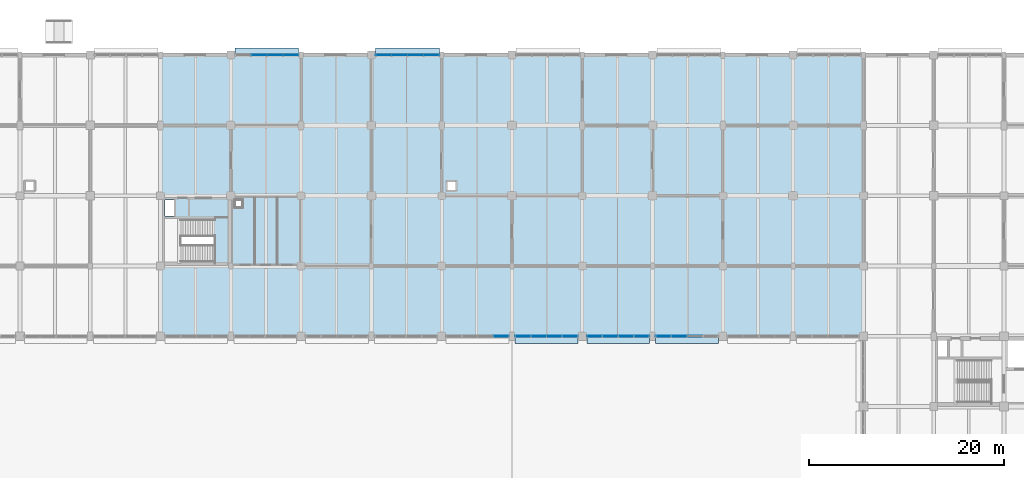
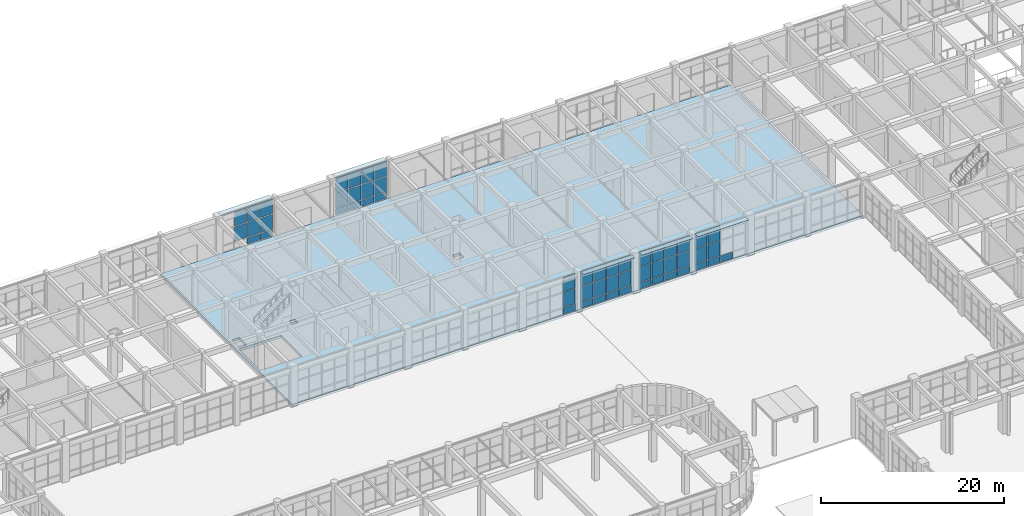
# One storey, part 128 of 160: 59 plates, 1 slab, 6 elements without a shape of their own.
"""IFC4 building model written with IfcOpenShell, lengths in metres."""

from ifc_helpers import new_model, si_unit, direction, frame, origin, origin_2d, place, context, subcontext, project, spatial, polyline, rectangle, outline, extrude, material, layer, layer_set, type_object, element, aggregate, save


model = new_model("IFC4")

# Units and contexts
model_context = context("Model", 3, precision=1e-05, world=origin(), true_north=direction((0.0, 1.0)))
body_context = subcontext(model_context, "Body", "Model", "MODEL_VIEW")
ifc_project = project(units=[si_unit("LENGTHUNIT", "METRE"), si_unit("AREAUNIT", "SQUARE_METRE"), si_unit("VOLUMEUNIT", "CUBIC_METRE"), si_unit("PLANEANGLEUNIT", "RADIAN"), si_unit("MASSUNIT", "GRAM", prefix="KILO")], contexts=[model_context])

# Site, building, storey
site_placement = place(None, origin())
site = spatial("IfcSite", under=ifc_project, at=site_placement, CompositionType="ELEMENT")
building_placement = place(site_placement, origin())
building = spatial("IfcBuilding", under=site, at=building_placement, Name="Thalmaran Polytechnic", CompositionType="ELEMENT")
storey_placement = place(building_placement, origin())
storey = spatial("IfcBuildingStorey", under=building, at=storey_placement, Name="L00", CompositionType="ELEMENT", Elevation=0.0)

# Plates
ifc_material_1 = material(Name="Anodised aluminium sun-hood eyebrow", Category="aluminium")
ifc_layer_1 = layer(ifc_material_1, 0.0849609375, Name="Anodised aluminium sun-hood eyebrow")
ifc_layer_set_1 = layer_set([ifc_layer_1], Name="Anodised aluminium sun-hood eyebrow")
plate_type_1 = type_object("IfcPlateType", Name="PT-EB01", PredefinedType="SHEET", material=ifc_layer_set_1)
for number, where, z_axis, x_axis, name in (
    (1, (68.492431640625, 122.760009765625, 4.987548828125), (0.0, 0.0, 1.0), (1.0, 0.0, 0.0), "Streamline Sun-Hood Eyebrow L00-CW006"),
    (2, (82.892578125, 122.760009765625, 4.987548828125), (0.0, 0.0, 1.0), (1.0, 0.0, 0.0), "Streamline Sun-Hood Eyebrow L00-CW007"),
):
    element("IfcPlate", number, at=place(storey_placement, frame(where, z_axis=z_axis, x_axis=x_axis)), inside=storey, type_object=plate_type_1, Name=name, PredefinedType="SHEET", context=body_context, shape_type="SweptSolid", body=[
        extrude(rectangle(XDim=6.52490234375, YDim=0.760009765625, at=origin_2d()), origin(), (0.0, 0.0, 1.0), 0.0849609375),
    ])
for number, where, z_axis, x_axis, name in (
    (3, (111.530029296875, 93.239990234375, 4.987548828125), (0.0, 0.0, 1.0), (-1.0, 0.0, 0.0), "Streamline Sun-Hood Eyebrow L00-CW074"),
    (4, (104.469970703125, 93.239990234375, 4.987548828125), (0.0, 0.0, 1.0), (-1.0, 0.0, 0.0), "Streamline Sun-Hood Eyebrow L00-CW075"),
    (5, (97.1298828125, 93.239990234375, 4.987548828125), (0.0, 0.0, 1.0), (-1.0, 0.0, 0.0), "Streamline Sun-Hood Eyebrow L00-CW076"),
):
    element("IfcPlate", number, at=place(storey_placement, frame(where, z_axis=z_axis, x_axis=x_axis)), inside=storey, type_object=plate_type_1, Name=name, PredefinedType="SHEET", context=body_context, shape_type="SweptSolid", body=[
        extrude(rectangle(XDim=6.419921875, YDim=0.760009765625, at=origin_2d()), origin(), (0.0, 0.0, 1.0), 0.0849609375),
    ])

# Curtain wall, plates
ifc_material_2 = material(Name="Aluminium 6063-T6", Category="aluminium")
curtain_wall_type = type_object("IfcCurtainWallType", Name="CW-UC01", PredefinedType="USERDEFINED", material=ifc_material_2)
curtain_wall_1_placement = place(storey_placement, origin())
curtain_wall_1 = element("IfcCurtainWall", 6, at=curtain_wall_1_placement, inside=storey, type_object=curtain_wall_type, Name="Curtain Wall CW-L00-075", ObjectType="UNITISED CURTAIN WALL", PredefinedType="USERDEFINED")
ifc_material_3 = material(Name="Solar-control double low-E glass", Category="glass")
ifc_layer_2 = layer(ifc_material_3, 0.035888671875, Name="Solar-control double low-E glass")
ifc_layer_set_2 = layer_set([ifc_layer_2], Name="Solar-control double low-E glass")
plate_type_2 = type_object("IfcPlateType", Name="PT-GL01", PredefinedType="CURTAIN_PANEL", material=ifc_layer_set_2)
plate_1_placement = place(storey_placement, frame((106.892578125, 93.60009765625, 1.0), z_axis=(0.0, 0.0, 1.0), x_axis=(-1.0, 0.0, 0.0)))
plate_1 = element("IfcPlate", 7, at=plate_1_placement, type_object=plate_type_2, Name="CW-L00-075 Vision Panel 1-2", PredefinedType="CURTAIN_PANEL", context=body_context, shape_type="SweptSolid", body=[
    extrude(rectangle(XDim=1.514892578125, YDim=0.035888671875, at=origin_2d()), origin(), (0.0, 0.0, 1.0), 1.985107421875),
])
plate_2_placement = place(storey_placement, frame((106.892578125, 93.60009765625, 3.06494140625), z_axis=(0.0, 0.0, 1.0), x_axis=(-1.0, 0.0, 0.0)))
plate_2 = element("IfcPlate", 8, at=plate_2_placement, type_object=plate_type_2, Name="CW-L00-075 Vision Panel 1-3", PredefinedType="CURTAIN_PANEL", context=body_context, shape_type="SweptSolid", body=[
    extrude(rectangle(XDim=1.514892578125, YDim=0.035888671875, at=origin_2d()), origin(), (0.0, 0.0, 1.0), 1.925048828125),
])
plate_3_placement = place(storey_placement, frame((105.277587890625, 93.60009765625, 1.0), z_axis=(0.0, 0.0, 1.0), x_axis=(-1.0, 0.0, 0.0)))
plate_3 = element("IfcPlate", 9, at=plate_3_placement, type_object=plate_type_2, Name="CW-L00-075 Vision Panel 2-2", PredefinedType="CURTAIN_PANEL", context=body_context, shape_type="SweptSolid", body=[
    extrude(rectangle(XDim=1.514892578125, YDim=0.035888671875, at=origin_2d()), origin(), (0.0, 0.0, 1.0), 1.985107421875),
])
plate_4_placement = place(storey_placement, frame((105.277587890625, 93.60009765625, 3.06494140625), z_axis=(0.0, 0.0, 1.0), x_axis=(-1.0, 0.0, 0.0)))
plate_4 = element("IfcPlate", 10, at=plate_4_placement, type_object=plate_type_2, Name="CW-L00-075 Vision Panel 2-3", PredefinedType="CURTAIN_PANEL", context=body_context, shape_type="SweptSolid", body=[
    extrude(rectangle(XDim=1.514892578125, YDim=0.035888671875, at=origin_2d()), origin(), (0.0, 0.0, 1.0), 1.925048828125),
])
plate_5_placement = place(storey_placement, frame((103.66259765625, 93.60009765625, 1.0), z_axis=(0.0, 0.0, 1.0), x_axis=(-1.0, 0.0, 0.0)))
plate_5 = element("IfcPlate", 11, at=plate_5_placement, type_object=plate_type_2, Name="CW-L00-075 Vision Panel 3-2", PredefinedType="CURTAIN_PANEL", context=body_context, shape_type="SweptSolid", body=[
    extrude(rectangle(XDim=1.514892578125, YDim=0.035888671875, at=origin_2d()), origin(), (0.0, 0.0, 1.0), 1.985107421875),
])
plate_6_placement = place(storey_placement, frame((103.66259765625, 93.60009765625, 3.06494140625), z_axis=(0.0, 0.0, 1.0), x_axis=(-1.0, 0.0, 0.0)))
plate_6 = element("IfcPlate", 12, at=plate_6_placement, type_object=plate_type_2, Name="CW-L00-075 Vision Panel 3-3", PredefinedType="CURTAIN_PANEL", context=body_context, shape_type="SweptSolid", body=[
    extrude(rectangle(XDim=1.514892578125, YDim=0.035888671875, at=origin_2d()), origin(), (0.0, 0.0, 1.0), 1.925048828125),
])
plate_7_placement = place(storey_placement, frame((102.047607421875, 93.60009765625, 1.0), z_axis=(0.0, 0.0, 1.0), x_axis=(-1.0, 0.0, 0.0)))
plate_7 = element("IfcPlate", 13, at=plate_7_placement, type_object=plate_type_2, Name="CW-L00-075 Vision Panel 4-2", PredefinedType="CURTAIN_PANEL", context=body_context, shape_type="SweptSolid", body=[
    extrude(rectangle(XDim=1.514892578125, YDim=0.035888671875, at=origin_2d()), origin(), (0.0, 0.0, 1.0), 1.985107421875),
])
plate_8_placement = place(storey_placement, frame((102.047607421875, 93.60009765625, 3.06494140625), z_axis=(0.0, 0.0, 1.0), x_axis=(-1.0, 0.0, 0.0)))
plate_8 = element("IfcPlate", 14, at=plate_8_placement, type_object=plate_type_2, Name="CW-L00-075 Vision Panel 4-3", PredefinedType="CURTAIN_PANEL", context=body_context, shape_type="SweptSolid", body=[
    extrude(rectangle(XDim=1.514892578125, YDim=0.035888671875, at=origin_2d()), origin(), (0.0, 0.0, 1.0), 1.925048828125),
])

curtain_wall_2_placement = place(storey_placement, origin())
curtain_wall_2 = element("IfcCurtainWall", 15, at=curtain_wall_2_placement, inside=storey, type_object=curtain_wall_type, Name="Curtain Wall CW-L00-006", ObjectType="UNITISED CURTAIN WALL", PredefinedType="USERDEFINED")
ifc_layer_3 = layer(ifc_material_3, 0.035888671875, Name="Solar-control double low-E glass")
ifc_layer_set_3 = layer_set([ifc_layer_3], Name="Solar-control double low-E glass")
plate_type_3 = type_object("IfcPlateType", Name="PT-GL02", PredefinedType="CURTAIN_PANEL", material=ifc_layer_set_3)
plate_9_placement = place(storey_placement, frame((67.671875, 122.39990234375, 1.0), z_axis=(0.0, 0.0, 1.0), x_axis=(1.0, 0.0, 0.0)))
plate_9 = element("IfcPlate", 16, at=plate_9_placement, type_object=plate_type_3, Name="CW-L00-006 Vision Panel 2-2", PredefinedType="CURTAIN_PANEL", context=body_context, shape_type="SweptSolid", body=[
    extrude(rectangle(XDim=1.541259765625, YDim=0.035888671875, at=origin_2d()), origin(), (0.0, 0.0, 1.0), 1.985107421875),
])
plate_10_placement = place(storey_placement, frame((67.671875, 122.39990234375, 3.06494140625), z_axis=(0.0, 0.0, 1.0), x_axis=(1.0, 0.0, 0.0)))
plate_10 = element("IfcPlate", 17, at=plate_10_placement, type_object=plate_type_3, Name="CW-L00-006 Vision Panel 2-3", PredefinedType="CURTAIN_PANEL", context=body_context, shape_type="SweptSolid", body=[
    extrude(rectangle(XDim=1.541259765625, YDim=0.035888671875, at=origin_2d()), origin(), (0.0, 0.0, 1.0), 1.925048828125),
])
plate_11_placement = place(storey_placement, frame((69.313232421875, 122.39990234375, 1.0), z_axis=(0.0, 0.0, 1.0), x_axis=(1.0, 0.0, 0.0)))
plate_11 = element("IfcPlate", 18, at=plate_11_placement, type_object=plate_type_3, Name="CW-L00-006 Vision Panel 3-2", PredefinedType="CURTAIN_PANEL", context=body_context, shape_type="SweptSolid", body=[
    extrude(rectangle(XDim=1.541259765625, YDim=0.035888671875, at=origin_2d()), origin(), (0.0, 0.0, 1.0), 1.985107421875),
])
plate_12_placement = place(storey_placement, frame((69.313232421875, 122.39990234375, 3.06494140625), z_axis=(0.0, 0.0, 1.0), x_axis=(1.0, 0.0, 0.0)))
plate_12 = element("IfcPlate", 19, at=plate_12_placement, type_object=plate_type_3, Name="CW-L00-006 Vision Panel 3-3", PredefinedType="CURTAIN_PANEL", context=body_context, shape_type="SweptSolid", body=[
    extrude(rectangle(XDim=1.541259765625, YDim=0.035888671875, at=origin_2d()), origin(), (0.0, 0.0, 1.0), 1.925048828125),
])
plate_13_placement = place(storey_placement, frame((70.954345703125, 122.39990234375, 1.0), z_axis=(0.0, 0.0, 1.0), x_axis=(1.0, 0.0, 0.0)))
plate_13 = element("IfcPlate", 20, at=plate_13_placement, type_object=plate_type_3, Name="CW-L00-006 Vision Panel 4-2", PredefinedType="CURTAIN_PANEL", context=body_context, shape_type="SweptSolid", body=[
    extrude(rectangle(XDim=1.541259765625, YDim=0.035888671875, at=origin_2d()), origin(), (0.0, 0.0, 1.0), 1.985107421875),
])
plate_14_placement = place(storey_placement, frame((70.954345703125, 122.39990234375, 3.06494140625), z_axis=(0.0, 0.0, 1.0), x_axis=(1.0, 0.0, 0.0)))
plate_14 = element("IfcPlate", 21, at=plate_14_placement, type_object=plate_type_3, Name="CW-L00-006 Vision Panel 4-3", PredefinedType="CURTAIN_PANEL", context=body_context, shape_type="SweptSolid", body=[
    extrude(rectangle(XDim=1.541259765625, YDim=0.035888671875, at=origin_2d()), origin(), (0.0, 0.0, 1.0), 1.925048828125),
])

curtain_wall_3_placement = place(storey_placement, origin())
curtain_wall_3 = element("IfcCurtainWall", 22, at=curtain_wall_3_placement, inside=storey, type_object=curtain_wall_type, Name="Curtain Wall CW-L00-076", ObjectType="UNITISED CURTAIN WALL", PredefinedType="USERDEFINED")
plate_15_placement = place(storey_placement, frame((99.552490234375, 93.60009765625, 1.0), z_axis=(0.0, 0.0, 1.0), x_axis=(-1.0, 0.0, 0.0)))
plate_15 = element("IfcPlate", 23, at=plate_15_placement, type_object=plate_type_3, Name="CW-L00-076 Vision Panel 1-2", PredefinedType="CURTAIN_PANEL", context=body_context, shape_type="SweptSolid", body=[
    extrude(rectangle(XDim=1.514892578125, YDim=0.035888671875, at=origin_2d()), origin(), (0.0, 0.0, 1.0), 1.985107421875),
])
plate_16_placement = place(storey_placement, frame((99.552490234375, 93.60009765625, 3.06494140625), z_axis=(0.0, 0.0, 1.0), x_axis=(-1.0, 0.0, 0.0)))
plate_16 = element("IfcPlate", 24, at=plate_16_placement, type_object=plate_type_3, Name="CW-L00-076 Vision Panel 1-3", PredefinedType="CURTAIN_PANEL", context=body_context, shape_type="SweptSolid", body=[
    extrude(rectangle(XDim=1.514892578125, YDim=0.035888671875, at=origin_2d()), origin(), (0.0, 0.0, 1.0), 1.925048828125),
])
plate_17_placement = place(storey_placement, frame((97.9375, 93.60009765625, 1.0), z_axis=(0.0, 0.0, 1.0), x_axis=(-1.0, 0.0, 0.0)))
plate_17 = element("IfcPlate", 25, at=plate_17_placement, type_object=plate_type_3, Name="CW-L00-076 Vision Panel 2-2", PredefinedType="CURTAIN_PANEL", context=body_context, shape_type="SweptSolid", body=[
    extrude(rectangle(XDim=1.514892578125, YDim=0.035888671875, at=origin_2d()), origin(), (0.0, 0.0, 1.0), 1.985107421875),
])
plate_18_placement = place(storey_placement, frame((97.9375, 93.60009765625, 3.06494140625), z_axis=(0.0, 0.0, 1.0), x_axis=(-1.0, 0.0, 0.0)))
plate_18 = element("IfcPlate", 26, at=plate_18_placement, type_object=plate_type_3, Name="CW-L00-076 Vision Panel 2-3", PredefinedType="CURTAIN_PANEL", context=body_context, shape_type="SweptSolid", body=[
    extrude(rectangle(XDim=1.514892578125, YDim=0.035888671875, at=origin_2d()), origin(), (0.0, 0.0, 1.0), 1.925048828125),
])
plate_19_placement = place(storey_placement, frame((96.322509765625, 93.60009765625, 1.0), z_axis=(0.0, 0.0, 1.0), x_axis=(-1.0, 0.0, 0.0)))
plate_19 = element("IfcPlate", 27, at=plate_19_placement, type_object=plate_type_3, Name="CW-L00-076 Vision Panel 3-2", PredefinedType="CURTAIN_PANEL", context=body_context, shape_type="SweptSolid", body=[
    extrude(rectangle(XDim=1.514892578125, YDim=0.035888671875, at=origin_2d()), origin(), (0.0, 0.0, 1.0), 1.985107421875),
])
plate_20_placement = place(storey_placement, frame((96.322509765625, 93.60009765625, 3.06494140625), z_axis=(0.0, 0.0, 1.0), x_axis=(-1.0, 0.0, 0.0)))
plate_20 = element("IfcPlate", 28, at=plate_20_placement, type_object=plate_type_3, Name="CW-L00-076 Vision Panel 3-3", PredefinedType="CURTAIN_PANEL", context=body_context, shape_type="SweptSolid", body=[
    extrude(rectangle(XDim=1.514892578125, YDim=0.035888671875, at=origin_2d()), origin(), (0.0, 0.0, 1.0), 1.925048828125),
])
plate_21_placement = place(storey_placement, frame((94.70751953125, 93.60009765625, 1.0), z_axis=(0.0, 0.0, 1.0), x_axis=(-1.0, 0.0, 0.0)))
plate_21 = element("IfcPlate", 29, at=plate_21_placement, type_object=plate_type_3, Name="CW-L00-076 Vision Panel 4-2", PredefinedType="CURTAIN_PANEL", context=body_context, shape_type="SweptSolid", body=[
    extrude(rectangle(XDim=1.514892578125, YDim=0.035888671875, at=origin_2d()), origin(), (0.0, 0.0, 1.0), 1.985107421875),
])
plate_22_placement = place(storey_placement, frame((94.70751953125, 93.60009765625, 3.06494140625), z_axis=(0.0, 0.0, 1.0), x_axis=(-1.0, 0.0, 0.0)))
plate_22 = element("IfcPlate", 30, at=plate_22_placement, type_object=plate_type_3, Name="CW-L00-076 Vision Panel 4-3", PredefinedType="CURTAIN_PANEL", context=body_context, shape_type="SweptSolid", body=[
    extrude(rectangle(XDim=1.514892578125, YDim=0.035888671875, at=origin_2d()), origin(), (0.0, 0.0, 1.0), 1.925048828125),
])

curtain_wall_4_placement = place(storey_placement, origin())
curtain_wall_4 = element("IfcCurtainWall", 31, at=curtain_wall_4_placement, inside=storey, type_object=curtain_wall_type, Name="Curtain Wall CW-L00-007", ObjectType="UNITISED CURTAIN WALL", PredefinedType="USERDEFINED")
ifc_layer_4 = layer(ifc_material_3, 0.035888671875, Name="Solar-control double low-E glass")
ifc_layer_set_4 = layer_set([ifc_layer_4], Name="Solar-control double low-E glass")
plate_type_4 = type_object("IfcPlateType", Name="PT-GL03", PredefinedType="CURTAIN_PANEL", material=ifc_layer_set_4)
plate_23_placement = place(storey_placement, frame((80.4306640625, 122.39990234375, 1.0), z_axis=(0.0, 0.0, 1.0), x_axis=(1.0, 0.0, 0.0)))
plate_23 = element("IfcPlate", 32, at=plate_23_placement, type_object=plate_type_4, Name="CW-L00-007 Vision Panel 1-2", PredefinedType="CURTAIN_PANEL", context=body_context, shape_type="SweptSolid", body=[
    extrude(rectangle(XDim=1.541259765625, YDim=0.035888671875, at=origin_2d()), origin(), (0.0, 0.0, 1.0), 1.985107421875),
])
plate_24_placement = place(storey_placement, frame((80.4306640625, 122.39990234375, 3.06494140625), z_axis=(0.0, 0.0, 1.0), x_axis=(1.0, 0.0, 0.0)))
plate_24 = element("IfcPlate", 33, at=plate_24_placement, type_object=plate_type_4, Name="CW-L00-007 Vision Panel 1-3", PredefinedType="CURTAIN_PANEL", context=body_context, shape_type="SweptSolid", body=[
    extrude(rectangle(XDim=1.541259765625, YDim=0.035888671875, at=origin_2d()), origin(), (0.0, 0.0, 1.0), 1.925048828125),
])
plate_25_placement = place(storey_placement, frame((82.07177734375, 122.39990234375, 1.0), z_axis=(0.0, 0.0, 1.0), x_axis=(1.0, 0.0, 0.0)))
plate_25 = element("IfcPlate", 34, at=plate_25_placement, type_object=plate_type_4, Name="CW-L00-007 Vision Panel 2-2", PredefinedType="CURTAIN_PANEL", context=body_context, shape_type="SweptSolid", body=[
    extrude(rectangle(XDim=1.541259765625, YDim=0.035888671875, at=origin_2d()), origin(), (0.0, 0.0, 1.0), 1.985107421875),
])
plate_26_placement = place(storey_placement, frame((82.07177734375, 122.39990234375, 3.06494140625), z_axis=(0.0, 0.0, 1.0), x_axis=(1.0, 0.0, 0.0)))
plate_26 = element("IfcPlate", 35, at=plate_26_placement, type_object=plate_type_4, Name="CW-L00-007 Vision Panel 2-3", PredefinedType="CURTAIN_PANEL", context=body_context, shape_type="SweptSolid", body=[
    extrude(rectangle(XDim=1.541259765625, YDim=0.035888671875, at=origin_2d()), origin(), (0.0, 0.0, 1.0), 1.925048828125),
])
plate_27_placement = place(storey_placement, frame((83.713134765625, 122.39990234375, 1.0), z_axis=(0.0, 0.0, 1.0), x_axis=(1.0, 0.0, 0.0)))
plate_27 = element("IfcPlate", 36, at=plate_27_placement, type_object=plate_type_4, Name="CW-L00-007 Vision Panel 3-2", PredefinedType="CURTAIN_PANEL", context=body_context, shape_type="SweptSolid", body=[
    extrude(rectangle(XDim=1.541259765625, YDim=0.035888671875, at=origin_2d()), origin(), (0.0, 0.0, 1.0), 1.985107421875),
])
plate_28_placement = place(storey_placement, frame((83.713134765625, 122.39990234375, 3.06494140625), z_axis=(0.0, 0.0, 1.0), x_axis=(1.0, 0.0, 0.0)))
plate_28 = element("IfcPlate", 37, at=plate_28_placement, type_object=plate_type_4, Name="CW-L00-007 Vision Panel 3-3", PredefinedType="CURTAIN_PANEL", context=body_context, shape_type="SweptSolid", body=[
    extrude(rectangle(XDim=1.541259765625, YDim=0.035888671875, at=origin_2d()), origin(), (0.0, 0.0, 1.0), 1.925048828125),
])
plate_29_placement = place(storey_placement, frame((85.3544921875, 122.39990234375, 1.0), z_axis=(0.0, 0.0, 1.0), x_axis=(1.0, 0.0, 0.0)))
plate_29 = element("IfcPlate", 38, at=plate_29_placement, type_object=plate_type_4, Name="CW-L00-007 Vision Panel 4-2", PredefinedType="CURTAIN_PANEL", context=body_context, shape_type="SweptSolid", body=[
    extrude(rectangle(XDim=1.541259765625, YDim=0.035888671875, at=origin_2d()), origin(), (0.0, 0.0, 1.0), 1.985107421875),
])
plate_30_placement = place(storey_placement, frame((85.3544921875, 122.39990234375, 3.06494140625), z_axis=(0.0, 0.0, 1.0), x_axis=(1.0, 0.0, 0.0)))
plate_30 = element("IfcPlate", 39, at=plate_30_placement, type_object=plate_type_4, Name="CW-L00-007 Vision Panel 4-3", PredefinedType="CURTAIN_PANEL", context=body_context, shape_type="SweptSolid", body=[
    extrude(rectangle(XDim=1.541259765625, YDim=0.035888671875, at=origin_2d()), origin(), (0.0, 0.0, 1.0), 1.925048828125),
])

curtain_wall_5_placement = place(storey_placement, origin())
curtain_wall_5 = element("IfcCurtainWall", 40, at=curtain_wall_5_placement, inside=storey, type_object=curtain_wall_type, Name="Curtain Wall CW-L00-077", ObjectType="UNITISED CURTAIN WALL", PredefinedType="USERDEFINED")
plate_31_placement = place(storey_placement, frame((92.492431640625, 93.60009765625, 1.0), z_axis=(0.0, 0.0, 1.0), x_axis=(-1.0, 0.0, 0.0)))
plate_31 = element("IfcPlate", 41, at=plate_31_placement, type_object=plate_type_4, Name="CW-L00-077 Vision Panel 1-2", PredefinedType="CURTAIN_PANEL", context=body_context, shape_type="SweptSolid", body=[
    extrude(rectangle(XDim=1.514892578125, YDim=0.035888671875, at=origin_2d()), origin(), (0.0, 0.0, 1.0), 1.985107421875),
])
plate_32_placement = place(storey_placement, frame((92.492431640625, 93.60009765625, 3.06494140625), z_axis=(0.0, 0.0, 1.0), x_axis=(-1.0, 0.0, 0.0)))
plate_32 = element("IfcPlate", 42, at=plate_32_placement, type_object=plate_type_4, Name="CW-L00-077 Vision Panel 1-3", PredefinedType="CURTAIN_PANEL", context=body_context, shape_type="SweptSolid", body=[
    extrude(rectangle(XDim=1.514892578125, YDim=0.035888671875, at=origin_2d()), origin(), (0.0, 0.0, 1.0), 1.925048828125),
])

curtain_wall_6_placement = place(storey_placement, origin())
curtain_wall_6 = element("IfcCurtainWall", 43, at=curtain_wall_6_placement, inside=storey, type_object=curtain_wall_type, Name="Curtain Wall CW-L00-074", ObjectType="UNITISED CURTAIN WALL", PredefinedType="USERDEFINED")
ifc_layer_5 = layer(ifc_material_3, 0.035888671875, Name="Solar-control double low-E glass")
ifc_layer_set_5 = layer_set([ifc_layer_5], Name="Solar-control double low-E glass")
plate_type_5 = type_object("IfcPlateType", Name="PT-GL05", PredefinedType="CURTAIN_PANEL", material=ifc_layer_set_5)
plate_33_placement = place(storey_placement, frame((110.722412109375, 93.60009765625, 1.0), z_axis=(0.0, 0.0, 1.0), x_axis=(-1.0, 0.0, 0.0)))
plate_33 = element("IfcPlate", 44, at=plate_33_placement, type_object=plate_type_5, Name="CW-L00-074 Vision Panel 3-2", PredefinedType="CURTAIN_PANEL", context=body_context, shape_type="SweptSolid", body=[
    extrude(rectangle(XDim=1.514892578125, YDim=0.035888671875, at=origin_2d()), origin(), (0.0, 0.0, 1.0), 1.985107421875),
])
plate_34_placement = place(storey_placement, frame((110.722412109375, 93.60009765625, 3.06494140625), z_axis=(0.0, 0.0, 1.0), x_axis=(-1.0, 0.0, 0.0)))
plate_34 = element("IfcPlate", 45, at=plate_34_placement, type_object=plate_type_5, Name="CW-L00-074 Vision Panel 3-3", PredefinedType="CURTAIN_PANEL", context=body_context, shape_type="SweptSolid", body=[
    extrude(rectangle(XDim=1.514892578125, YDim=0.035888671875, at=origin_2d()), origin(), (0.0, 0.0, 1.0), 1.925048828125),
])
plate_35_placement = place(storey_placement, frame((109.107421875, 93.60009765625, 1.0), z_axis=(0.0, 0.0, 1.0), x_axis=(-1.0, 0.0, 0.0)))
plate_35 = element("IfcPlate", 46, at=plate_35_placement, type_object=plate_type_5, Name="CW-L00-074 Vision Panel 4-2", PredefinedType="CURTAIN_PANEL", context=body_context, shape_type="SweptSolid", body=[
    extrude(rectangle(XDim=1.514892578125, YDim=0.035888671875, at=origin_2d()), origin(), (0.0, 0.0, 1.0), 1.985107421875),
])
plate_36_placement = place(storey_placement, frame((109.107421875, 93.60009765625, 3.06494140625), z_axis=(0.0, 0.0, 1.0), x_axis=(-1.0, 0.0, 0.0)))
plate_36 = element("IfcPlate", 47, at=plate_36_placement, type_object=plate_type_5, Name="CW-L00-074 Vision Panel 4-3", PredefinedType="CURTAIN_PANEL", context=body_context, shape_type="SweptSolid", body=[
    extrude(rectangle(XDim=1.514892578125, YDim=0.035888671875, at=origin_2d()), origin(), (0.0, 0.0, 1.0), 1.925048828125),
])

# Plate
ifc_material_4 = material(Name="Insulated anodised aluminium spandrel", Category="aluminium")
ifc_layer_6 = layer(ifc_material_4, 0.06005859375, Name="Insulated anodised aluminium spandrel")
ifc_layer_set_6 = layer_set([ifc_layer_6], Name="Insulated anodised aluminium spandrel")
plate_type_6 = type_object("IfcPlateType", Name="PT-SP01", PredefinedType="CURTAIN_PANEL", material=ifc_layer_set_6)
plate_37_placement = place(storey_placement, frame((69.313232421875, 122.39990234375, 0.10009765625), z_axis=(0.0, 0.0, 1.0), x_axis=(1.0, 0.0, 0.0)))
plate_37 = element("IfcPlate", 48, at=plate_37_placement, type_object=plate_type_6, Name="CW-L00-006 Spandrel Panel 3-1", PredefinedType="CURTAIN_PANEL", context=body_context, shape_type="SweptSolid", body=[
    extrude(rectangle(XDim=1.541259765625, YDim=0.06005859375, at=origin_2d()), origin(), (0.0, 0.0, 1.0), 0.820068359375),
])

plate_38_placement = place(storey_placement, frame((70.954345703125, 122.39990234375, 0.10009765625), z_axis=(0.0, 0.0, 1.0), x_axis=(1.0, 0.0, 0.0)))
plate_38 = element("IfcPlate", 49, at=plate_38_placement, type_object=plate_type_6, Name="CW-L00-006 Spandrel Panel 4-1", PredefinedType="CURTAIN_PANEL", context=body_context, shape_type="SweptSolid", body=[
    extrude(rectangle(XDim=1.541259765625, YDim=0.06005859375, at=origin_2d()), origin(), (0.0, 0.0, 1.0), 0.820068359375),
])

aggregate(curtain_wall_2, [plate_9, plate_10, plate_37, plate_11, plate_12, plate_38, plate_13, plate_14])

plate_39_placement = place(storey_placement, frame((106.892578125, 93.60009765625, 0.10009765625), z_axis=(0.0, 0.0, 1.0), x_axis=(-1.0, 0.0, 0.0)))
plate_39 = element("IfcPlate", 50, at=plate_39_placement, type_object=plate_type_6, Name="CW-L00-075 Spandrel Panel 1-1", PredefinedType="CURTAIN_PANEL", context=body_context, shape_type="SweptSolid", body=[
    extrude(rectangle(XDim=1.514892578125, YDim=0.06005859375, at=origin_2d()), origin(), (0.0, 0.0, 1.0), 0.820068359375),
])

plate_40_placement = place(storey_placement, frame((105.277587890625, 93.60009765625, 0.10009765625), z_axis=(0.0, 0.0, 1.0), x_axis=(-1.0, 0.0, 0.0)))
plate_40 = element("IfcPlate", 51, at=plate_40_placement, type_object=plate_type_6, Name="CW-L00-075 Spandrel Panel 2-1", PredefinedType="CURTAIN_PANEL", context=body_context, shape_type="SweptSolid", body=[
    extrude(rectangle(XDim=1.514892578125, YDim=0.06005859375, at=origin_2d()), origin(), (0.0, 0.0, 1.0), 0.820068359375),
])

plate_41_placement = place(storey_placement, frame((103.66259765625, 93.60009765625, 0.10009765625), z_axis=(0.0, 0.0, 1.0), x_axis=(-1.0, 0.0, 0.0)))
plate_41 = element("IfcPlate", 52, at=plate_41_placement, type_object=plate_type_6, Name="CW-L00-075 Spandrel Panel 3-1", PredefinedType="CURTAIN_PANEL", context=body_context, shape_type="SweptSolid", body=[
    extrude(rectangle(XDim=1.514892578125, YDim=0.06005859375, at=origin_2d()), origin(), (0.0, 0.0, 1.0), 0.820068359375),
])

plate_42_placement = place(storey_placement, frame((102.047607421875, 93.60009765625, 0.10009765625), z_axis=(0.0, 0.0, 1.0), x_axis=(-1.0, 0.0, 0.0)))
plate_42 = element("IfcPlate", 53, at=plate_42_placement, type_object=plate_type_6, Name="CW-L00-075 Spandrel Panel 4-1", PredefinedType="CURTAIN_PANEL", context=body_context, shape_type="SweptSolid", body=[
    extrude(rectangle(XDim=1.514892578125, YDim=0.06005859375, at=origin_2d()), origin(), (0.0, 0.0, 1.0), 0.820068359375),
])

aggregate(curtain_wall_1, [plate_39, plate_1, plate_2, plate_40, plate_3, plate_4, plate_41, plate_5, plate_6, plate_42, plate_7, plate_8])

ifc_layer_7 = layer(ifc_material_4, 0.06005859375, Name="Insulated anodised aluminium spandrel")
ifc_layer_set_7 = layer_set([ifc_layer_7], Name="Insulated anodised aluminium spandrel")
plate_type_7 = type_object("IfcPlateType", Name="PT-SP02", PredefinedType="CURTAIN_PANEL", material=ifc_layer_set_7)
plate_43_placement = place(storey_placement, frame((80.4306640625, 122.39990234375, 0.10009765625), z_axis=(0.0, 0.0, 1.0), x_axis=(1.0, 0.0, 0.0)))
plate_43 = element("IfcPlate", 54, at=plate_43_placement, type_object=plate_type_7, Name="CW-L00-007 Spandrel Panel 1-1", PredefinedType="CURTAIN_PANEL", context=body_context, shape_type="SweptSolid", body=[
    extrude(rectangle(XDim=1.541259765625, YDim=0.06005859375, at=origin_2d()), origin(), (0.0, 0.0, 1.0), 0.820068359375),
])

plate_44_placement = place(storey_placement, frame((82.07177734375, 122.39990234375, 0.10009765625), z_axis=(0.0, 0.0, 1.0), x_axis=(1.0, 0.0, 0.0)))
plate_44 = element("IfcPlate", 55, at=plate_44_placement, type_object=plate_type_7, Name="CW-L00-007 Spandrel Panel 2-1", PredefinedType="CURTAIN_PANEL", context=body_context, shape_type="SweptSolid", body=[
    extrude(rectangle(XDim=1.541259765625, YDim=0.06005859375, at=origin_2d()), origin(), (0.0, 0.0, 1.0), 0.820068359375),
])

plate_45_placement = place(storey_placement, frame((83.713134765625, 122.39990234375, 0.10009765625), z_axis=(0.0, 0.0, 1.0), x_axis=(1.0, 0.0, 0.0)))
plate_45 = element("IfcPlate", 56, at=plate_45_placement, type_object=plate_type_7, Name="CW-L00-007 Spandrel Panel 3-1", PredefinedType="CURTAIN_PANEL", context=body_context, shape_type="SweptSolid", body=[
    extrude(rectangle(XDim=1.541259765625, YDim=0.06005859375, at=origin_2d()), origin(), (0.0, 0.0, 1.0), 0.820068359375),
])

plate_46_placement = place(storey_placement, frame((85.3544921875, 122.39990234375, 0.10009765625), z_axis=(0.0, 0.0, 1.0), x_axis=(1.0, 0.0, 0.0)))
plate_46 = element("IfcPlate", 57, at=plate_46_placement, type_object=plate_type_7, Name="CW-L00-007 Spandrel Panel 4-1", PredefinedType="CURTAIN_PANEL", context=body_context, shape_type="SweptSolid", body=[
    extrude(rectangle(XDim=1.541259765625, YDim=0.06005859375, at=origin_2d()), origin(), (0.0, 0.0, 1.0), 0.820068359375),
])

aggregate(curtain_wall_4, [plate_43, plate_23, plate_24, plate_44, plate_25, plate_26, plate_45, plate_27, plate_28, plate_46, plate_29, plate_30])

plate_47_placement = place(storey_placement, frame((99.552490234375, 93.60009765625, 0.10009765625), z_axis=(0.0, 0.0, 1.0), x_axis=(-1.0, 0.0, 0.0)))
plate_47 = element("IfcPlate", 58, at=plate_47_placement, type_object=plate_type_7, Name="CW-L00-076 Spandrel Panel 1-1", PredefinedType="CURTAIN_PANEL", context=body_context, shape_type="SweptSolid", body=[
    extrude(rectangle(XDim=1.514892578125, YDim=0.06005859375, at=origin_2d()), origin(), (0.0, 0.0, 1.0), 0.820068359375),
])

plate_48_placement = place(storey_placement, frame((97.9375, 93.60009765625, 0.10009765625), z_axis=(0.0, 0.0, 1.0), x_axis=(-1.0, 0.0, 0.0)))
plate_48 = element("IfcPlate", 59, at=plate_48_placement, type_object=plate_type_7, Name="CW-L00-076 Spandrel Panel 2-1", PredefinedType="CURTAIN_PANEL", context=body_context, shape_type="SweptSolid", body=[
    extrude(rectangle(XDim=1.514892578125, YDim=0.06005859375, at=origin_2d()), origin(), (0.0, 0.0, 1.0), 0.820068359375),
])

plate_49_placement = place(storey_placement, frame((96.322509765625, 93.60009765625, 0.10009765625), z_axis=(0.0, 0.0, 1.0), x_axis=(-1.0, 0.0, 0.0)))
plate_49 = element("IfcPlate", 60, at=plate_49_placement, type_object=plate_type_7, Name="CW-L00-076 Spandrel Panel 3-1", PredefinedType="CURTAIN_PANEL", context=body_context, shape_type="SweptSolid", body=[
    extrude(rectangle(XDim=1.514892578125, YDim=0.06005859375, at=origin_2d()), origin(), (0.0, 0.0, 1.0), 0.820068359375),
])

plate_50_placement = place(storey_placement, frame((94.70751953125, 93.60009765625, 0.10009765625), z_axis=(0.0, 0.0, 1.0), x_axis=(-1.0, 0.0, 0.0)))
plate_50 = element("IfcPlate", 61, at=plate_50_placement, type_object=plate_type_7, Name="CW-L00-076 Spandrel Panel 4-1", PredefinedType="CURTAIN_PANEL", context=body_context, shape_type="SweptSolid", body=[
    extrude(rectangle(XDim=1.514892578125, YDim=0.06005859375, at=origin_2d()), origin(), (0.0, 0.0, 1.0), 0.820068359375),
])

aggregate(curtain_wall_3, [plate_47, plate_15, plate_16, plate_48, plate_17, plate_18, plate_49, plate_19, plate_20, plate_50, plate_21, plate_22])

ifc_layer_8 = layer(ifc_material_4, 0.06005859375, Name="Insulated anodised aluminium spandrel")
ifc_layer_set_8 = layer_set([ifc_layer_8], Name="Insulated anodised aluminium spandrel")
plate_type_8 = type_object("IfcPlateType", Name="PT-SP03", PredefinedType="CURTAIN_PANEL", material=ifc_layer_set_8)
plate_51_placement = place(storey_placement, frame((112.33740234375, 93.60009765625, 0.10009765625), z_axis=(0.0, 0.0, 1.0), x_axis=(-1.0, 0.0, 0.0)))
plate_51 = element("IfcPlate", 62, at=plate_51_placement, type_object=plate_type_8, Name="CW-L00-074 Spandrel Panel 2-1", PredefinedType="CURTAIN_PANEL", context=body_context, shape_type="SweptSolid", body=[
    extrude(rectangle(XDim=1.514892578125, YDim=0.06005859375, at=origin_2d()), origin(), (0.0, 0.0, 1.0), 0.820068359375),
])

plate_52_placement = place(storey_placement, frame((110.722412109375, 93.60009765625, 0.10009765625), z_axis=(0.0, 0.0, 1.0), x_axis=(-1.0, 0.0, 0.0)))
plate_52 = element("IfcPlate", 63, at=plate_52_placement, type_object=plate_type_8, Name="CW-L00-074 Spandrel Panel 3-1", PredefinedType="CURTAIN_PANEL", context=body_context, shape_type="SweptSolid", body=[
    extrude(rectangle(XDim=1.514892578125, YDim=0.06005859375, at=origin_2d()), origin(), (0.0, 0.0, 1.0), 0.820068359375),
])

plate_53_placement = place(storey_placement, frame((109.107421875, 93.60009765625, 0.10009765625), z_axis=(0.0, 0.0, 1.0), x_axis=(-1.0, 0.0, 0.0)))
plate_53 = element("IfcPlate", 64, at=plate_53_placement, type_object=plate_type_8, Name="CW-L00-074 Spandrel Panel 4-1", PredefinedType="CURTAIN_PANEL", context=body_context, shape_type="SweptSolid", body=[
    extrude(rectangle(XDim=1.514892578125, YDim=0.06005859375, at=origin_2d()), origin(), (0.0, 0.0, 1.0), 0.820068359375),
])

aggregate(curtain_wall_6, [plate_51, plate_52, plate_33, plate_34, plate_53, plate_35, plate_36])

plate_54_placement = place(storey_placement, frame((92.492431640625, 93.60009765625, 0.10009765625), z_axis=(0.0, 0.0, 1.0), x_axis=(-1.0, 0.0, 0.0)))
plate_54 = element("IfcPlate", 65, at=plate_54_placement, type_object=plate_type_8, Name="CW-L00-077 Spandrel Panel 1-1", PredefinedType="CURTAIN_PANEL", context=body_context, shape_type="SweptSolid", body=[
    extrude(rectangle(XDim=1.514892578125, YDim=0.06005859375, at=origin_2d()), origin(), (0.0, 0.0, 1.0), 0.820068359375),
])

aggregate(curtain_wall_5, [plate_54, plate_31, plate_32])

# Slab
ifc_material_5 = material(Name="Concrete C40/50", Category="concrete")
ifc_layer_9 = layer(ifc_material_5, 0.330078125, Name="Concrete C40/50")
ifc_layer_set_9 = layer_set([ifc_layer_9], Name="Concrete C40/50")
slab_type = type_object("IfcSlabType", Name="SL-FL02", PredefinedType="FLOOR", material=ifc_layer_set_9)
slab_placement = place(storey_placement, frame((0.0, 0.0, -0.330078125)))
element("IfcSlab", 66, at=slab_placement, inside=storey, type_object=slab_type, Name="V2E L00 Structural Slab", PredefinedType="FLOOR", context=body_context, shape_type="SweptSolid", body=[
    extrude(outline(polyline([(57.60009765625, 100.800048828125), (57.60009765625, 108.0), (57.60009765625, 115.199951171875), (57.60009765625, 122.39990234375), (64.800048828125, 122.39990234375), (72.0, 122.39990234375), (79.199951171875, 122.39990234375), (86.39990234375, 122.39990234375), (93.60009765625, 122.39990234375), (100.800048828125, 122.39990234375), (108.0, 122.39990234375), (115.199951171875, 122.39990234375), (122.39990234375, 122.39990234375), (129.60009765625, 122.39990234375), (129.60009765625, 115.199951171875), (129.60009765625, 108.0), (129.60009765625, 100.800048828125), (129.60009765625, 93.60009765625), (122.39990234375, 93.60009765625), (115.199951171875, 93.60009765625), (108.0, 93.60009765625), (100.800048828125, 93.60009765625), (93.60009765625, 93.60009765625), (86.39990234375, 93.60009765625), (79.199951171875, 93.60009765625), (72.0, 93.60009765625), (64.800048828125, 93.60009765625), (57.60009765625, 93.60009765625), (57.60009765625, 100.800048828125)]), holes=[polyline([(87.85009765625, 109.449951171875), (86.949951171875, 109.449951171875), (86.949951171875, 108.550048828125), (87.85009765625, 108.550048828125), (87.85009765625, 109.449951171875)]), polyline([(65.25, 107.530029296875), (65.25, 106.830078125), (65.949951171875, 106.830078125), (65.949951171875, 107.530029296875), (65.25, 107.530029296875)]), polyline([(63.1201171875, 101.050048828125), (63.1201171875, 105.639892578125), (57.85009765625, 105.639892578125), (57.85009765625, 101.050048828125), (63.1201171875, 101.050048828125)]), polyline([(58.0400390625, 105.93994140625), (58.9599609375, 105.93994140625), (58.9599609375, 107.56005859375), (58.0400390625, 107.56005859375), (58.0400390625, 105.93994140625)])]), origin(), (0.0, 0.0, 1.0), 0.330078125),
])

save(model, "model.ifc")
